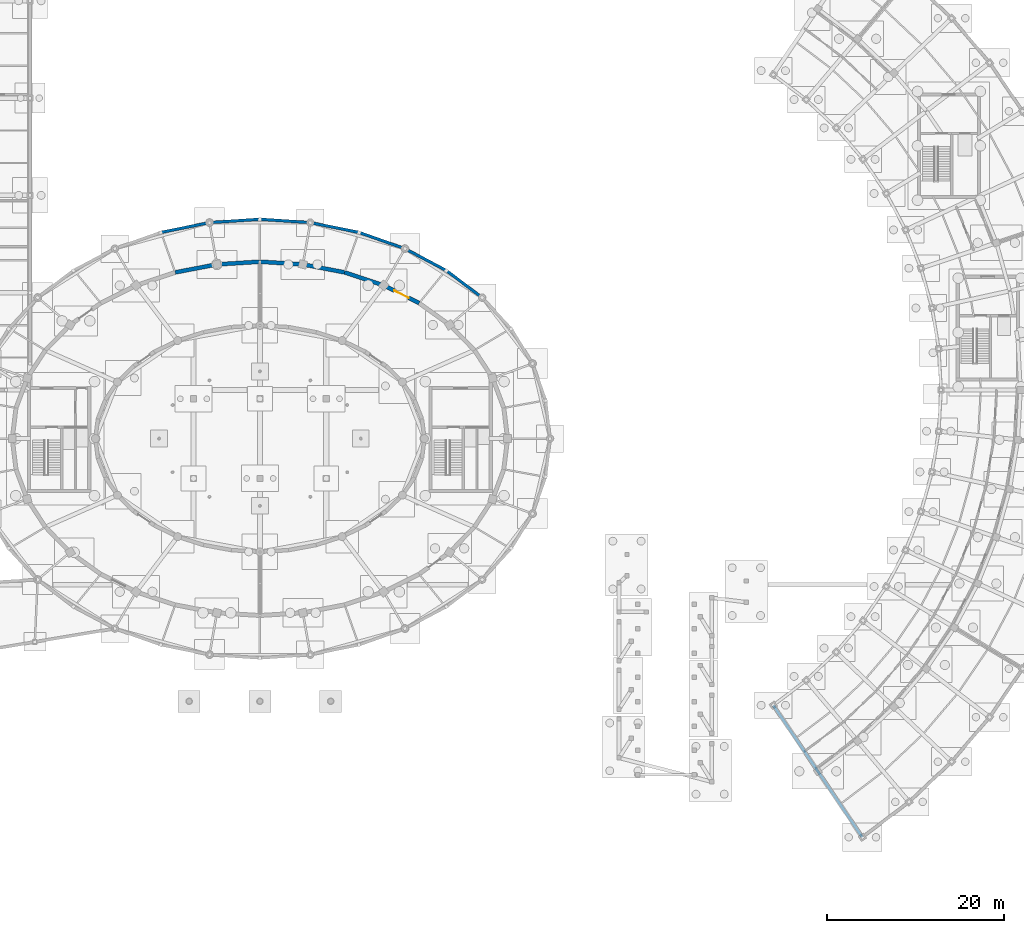
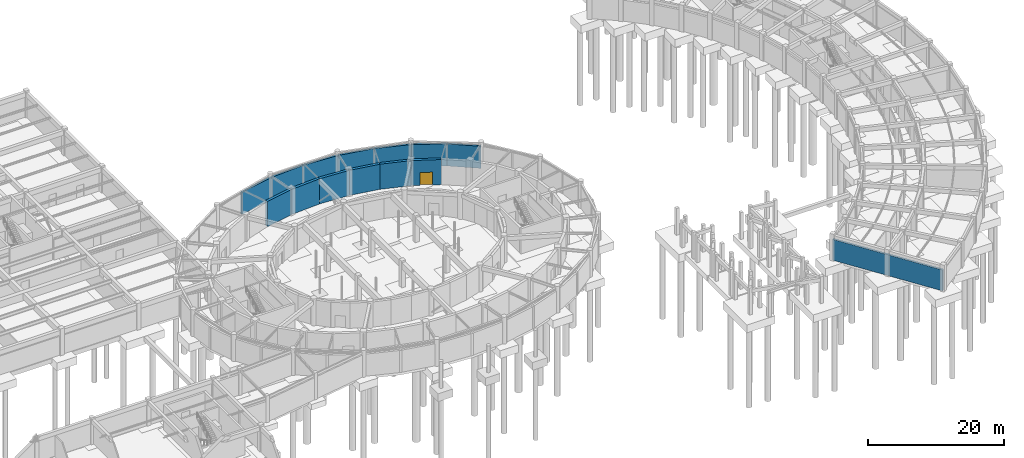
# One storey, part 24 of 42: 14 walls, 1 door, 1 opening.
"""IFC4 building model written with IfcOpenShell, lengths in metres."""

from ifc_helpers import new_model, si_unit, direction, frame, frame_2d, origin, place, context, subcontext, project, spatial, rectangle, extrude, material, layer, layer_set, type_object, element, fill, save


model = new_model("IFC4")

# Units and contexts
model_context = context("Model", 3, precision=1e-05, world=origin(), true_north=direction((0.0, 1.0)))
body_context = subcontext(model_context, "Body", "Model", "MODEL_VIEW")
ifc_project = project(units=[si_unit("LENGTHUNIT", "METRE"), si_unit("AREAUNIT", "SQUARE_METRE"), si_unit("VOLUMEUNIT", "CUBIC_METRE"), si_unit("PLANEANGLEUNIT", "RADIAN"), si_unit("MASSUNIT", "GRAM", prefix="KILO")], contexts=[model_context])

# Site, building, storey
site_placement = place(None, origin())
site = spatial("IfcSite", under=ifc_project, at=site_placement, CompositionType="ELEMENT")
building_placement = place(site_placement, origin())
building = spatial("IfcBuilding", under=site, at=building_placement, Name="Tarnveldt Headland Concert Hall", CompositionType="ELEMENT")
storey_placement = place(building_placement, frame((0.0, 0.0, -4.800048828125)))
storey = spatial("IfcBuildingStorey", under=building, at=storey_placement, Name="B1", CompositionType="ELEMENT", Elevation=-4.800048828125)

# Walls
ifc_material_1 = material(Name="Coral-toned precast concrete C40/50", Category="concrete")
ifc_layer_1 = layer(ifc_material_1, 0.324951171875, Name="Coral-toned precast concrete C40/50", Category="concrete")
ifc_layer_set_1 = layer_set([ifc_layer_1], Name="Coral-toned precast concrete C40/50")
wall_type_1 = type_object("IfcWallType", Name="WL-EX325", PredefinedType="SOLIDWALL", material=ifc_layer_set_1)
wall_1_placement = place(storey_placement, frame((104.599365234375, 73.48583984375, 0.0), z_axis=(0.0, 0.0, 1.0), x_axis=(0.797657622226, -0.60311053523, 0.0)))
element("IfcWall", 1, at=wall_1_placement, inside=storey, type_object=wall_type_1, Name="External precast wall B1-5", PredefinedType="SOLIDWALL", context=body_context, shape_type="SweptSolid", body=[
    extrude(rectangle(XDim=5.028564453125, YDim=0.324951171875, at=frame_2d((2.51416015625, 0.0))), origin(), (0.0, 0.0, 1.0), 3.949951171875),
])
wall_2_placement = place(storey_placement, frame((99.917724609375, 75.968017578125, 0.0), z_axis=(0.0, 0.0, 1.0), x_axis=(0.883786787155, -0.467889853332, 0.0)))
element("IfcWall", 2, at=wall_2_placement, inside=storey, type_object=wall_type_1, Name="External precast wall B1-6", PredefinedType="SOLIDWALL", context=body_context, shape_type="SweptSolid", body=[
    extrude(rectangle(XDim=5.259033203125, YDim=0.324951171875, at=frame_2d((2.62939453125, 0.0))), origin(), (0.0, 0.0, 1.0), 3.949951171875),
])
wall_3_placement = place(storey_placement, frame((94.7373046875, 77.797607421875, 0.0), z_axis=(0.0, 0.0, 1.0), x_axis=(0.943104319689, -0.332496980713, 0.0)))
element("IfcWall", 3, at=wall_3_placement, inside=storey, type_object=wall_type_1, Name="External precast wall B1-7", PredefinedType="SOLIDWALL", context=body_context, shape_type="SweptSolid", body=[
    extrude(rectangle(XDim=5.4541015625, YDim=0.324951171875, at=frame_2d((2.72705078125, 0.0))), origin(), (0.0, 0.0, 1.0), 3.949951171875),
])
wall_4_placement = place(storey_placement, frame((89.21533203125, 78.919189453125, 0.0), z_axis=(0.0, 0.0, 1.0), x_axis=(0.980090933481, -0.198549142802, 0.0)))
element("IfcWall", 4, at=wall_4_placement, inside=storey, type_object=wall_type_1, Name="External precast wall B1-8", PredefinedType="SOLIDWALL", context=body_context, shape_type="SweptSolid", body=[
    extrude(rectangle(XDim=5.5947265625, YDim=0.324951171875, at=frame_2d((2.79736328125, 0.0))), origin(), (0.0, 0.0, 1.0), 3.949951171875),
])
for number, where, z_axis, x_axis, name in (
    (5, (83.52001953125, 79.298583984375, 0.0), (0.0, 0.0, 1.0), (0.997820465323, -0.065987263786, 0.0), "External precast wall B1-9"),
    (6, (77.82421875, 78.924560546875, 0.0), (0.0, 0.0, 1.0), (0.997820465323, 0.065987263786, 0.0), "External precast wall B1-10"),
):
    element("IfcWall", number, at=place(storey_placement, frame(where, z_axis=z_axis, x_axis=x_axis)), inside=storey, type_object=wall_type_1, Name=name, PredefinedType="SOLIDWALL", context=body_context, shape_type="SweptSolid", body=[
        extrude(rectangle(XDim=5.668212890625, YDim=0.324951171875, at=frame_2d((2.833984375, 0.0))), origin(), (0.0, 0.0, 1.0), 3.949951171875),
    ])
wall_5_placement = place(storey_placement, frame((72.30126953125, 77.808349609375, 0.0), z_axis=(0.0, 0.0, 1.0), x_axis=(0.980090933481, 0.198549142802, 0.0)))
element("IfcWall", 7, at=wall_5_placement, inside=storey, type_object=wall_type_1, Name="External precast wall B1-11", PredefinedType="SOLIDWALL", context=body_context, shape_type="SweptSolid", body=[
    extrude(rectangle(XDim=5.5947265625, YDim=0.324951171875, at=frame_2d((2.79736328125, 0.0))), origin(), (0.0, 0.0, 1.0), 3.949951171875),
])
wall_6_placement = place(storey_placement, frame((141.556396484375, 24.334716796875, 0.0), z_axis=(0.0, 0.0, 1.0), x_axis=(0.559199902081, -0.82903285189, 0.0)))
element("IfcWall", 8, at=wall_6_placement, inside=storey, type_object=wall_type_1, Name="External precast wall B1-83", PredefinedType="SOLIDWALL", context=body_context, shape_type="SweptSolid", body=[
    extrude(rectangle(XDim=17.9599609375, YDim=0.324951171875, at=frame_2d((8.97998046875, 0.0))), origin(), (0.0, 0.0, 1.0), 3.738037109375),
])

# Wall, opening, door
ifc_material_2 = material(Name="Concrete C40/50", Category="concrete")
ifc_layer_2 = layer(ifc_material_2, 0.449951171875, Name="Concrete C40/50", Category="concrete")
ifc_layer_set_2 = layer_set([ifc_layer_2], Name="Concrete C40/50")
wall_type_2 = type_object("IfcWallType", Name="WL-RT450", PredefinedType="SHEAR", material=ifc_layer_set_2)
wall_7_placement = place(storey_placement, frame((101.498046875, 69.82080078125, 0.0), z_axis=(0.0, 0.0, 1.0), x_axis=(-0.894361644392, 0.447344664705, 0.0)))
wall_7 = element("IfcWall", 9, at=wall_7_placement, inside=storey, type_object=wall_type_2, Name="Symphony drum shear wall B1-6", PredefinedType="SHEAR", context=body_context, shape_type="SweptSolid", body=[
    extrude(rectangle(XDim=4.47021484375, YDim=0.449951171875, at=frame_2d((2.235107421875, 0.0))), origin(), (0.0, 0.0, 1.0), 4.5),
])
opening_placement = place(wall_7_placement, frame((1.31005859375, 0.0, 0.0)))
opening = element("IfcOpeningElement", 10, at=opening_placement, cuts=wall_7, Name="Opening AD-O001", PredefinedType="OPENING", context=body_context, shape_type="SweptSolid", body=[
    extrude(rectangle(XDim=1.85009765625, YDim=2.300048828125, at=frame_2d((0.925048828125, 1.14990234375))), frame((0.0, 0.23486328125, 0.0), z_axis=(0.0, -1.0, 0.0), x_axis=(1.0, 0.0, 0.0)), (0.0, 0.0, 1.0), 0.469970703125),
])
ifc_material_3 = material(Name="Treated East African mvule hardwood", Category="wood")
door_type = type_object("IfcDoorType", Name="DR-AC185", OperationType="NOTDEFINED", PredefinedType="DOOR", material=ifc_material_3)
door_placement = place(opening_placement, origin())
door = element("IfcDoor", 11, at=door_placement, inside=storey, type_object=door_type, Name="Drum concourse acoustic door B1-6", OperationType="SINGLE_SWING_LEFT", OverallHeight=2.300048828125, OverallWidth=1.85009765625, PredefinedType="DOOR", context=body_context, shape_type="SweptSolid", body=[
    extrude(rectangle(XDim=1.85009765625, YDim=2.300048828125, at=frame_2d((0.925048828125, 1.14990234375))), frame((0.0, 0.02490234375, 0.0), z_axis=(0.0, -1.0, 0.0), x_axis=(1.0, 0.0, 0.0)), (0.0, 0.0, 1.0), 0.050048828125),
])
fill(opening, door)

# Walls
wall_8_placement = place(storey_placement, frame((97.5, 71.820556640625, 0.0), z_axis=(0.0, 0.0, 1.0), x_axis=(-0.948751350732, 0.316023534699, 0.0)))
element("IfcWall", 12, at=wall_8_placement, inside=storey, type_object=wall_type_2, Name="Symphony drum shear wall B1-7", PredefinedType="SHEAR", context=body_context, shape_type="SweptSolid", body=[
    extrude(rectangle(XDim=4.662353515625, YDim=0.449951171875, at=frame_2d((2.3310546875, 0.0))), origin(), (0.0, 0.0, 1.0), 4.5),
])
wall_9_placement = place(storey_placement, frame((93.07666015625, 73.2939453125, 0.0), z_axis=(0.0, 0.0, 1.0), x_axis=(-0.982172578083, 0.187981453503, 0.0)))
element("IfcWall", 13, at=wall_9_placement, inside=storey, type_object=wall_type_2, Name="Symphony drum shear wall B1-8", PredefinedType="SHEAR", context=body_context, shape_type="SweptSolid", body=[
    extrude(rectangle(XDim=4.80029296875, YDim=0.449951171875, at=frame_2d((2.400146484375, 0.0))), origin(), (0.0, 0.0, 1.0), 4.5),
])
for number, where, z_axis, x_axis, name in (
    (14, (88.362060546875, 74.1962890625, 0.0), (0.0, 0.0, 1.0), (-0.998054722924, 0.06234396562, 0.0), "Symphony drum shear wall B1-9"),
    (15, (83.5, 74.5, 0.0), (0.0, 0.0, 1.0), (-0.998054722924, -0.06234396562, 0.0), "Symphony drum shear wall B1-10"),
):
    element("IfcWall", number, at=place(storey_placement, frame(where, z_axis=z_axis, x_axis=x_axis)), inside=storey, type_object=wall_type_2, Name=name, PredefinedType="SHEAR", context=body_context, shape_type="SweptSolid", body=[
        extrude(rectangle(XDim=4.87158203125, YDim=0.449951171875, at=frame_2d((2.435791015625, 0.0))), origin(), (0.0, 0.0, 1.0), 4.5),
    ])
wall_10_placement = place(storey_placement, frame((78.637939453125, 74.1962890625, 0.0), z_axis=(0.0, 0.0, 1.0), x_axis=(-0.982172578083, -0.187981453503, 0.0)))
element("IfcWall", 16, at=wall_10_placement, inside=storey, type_object=wall_type_2, Name="Symphony drum shear wall B1-11", PredefinedType="SHEAR", context=body_context, shape_type="SweptSolid", body=[
    extrude(rectangle(XDim=4.80029296875, YDim=0.449951171875, at=frame_2d((2.400146484375, 0.0))), origin(), (0.0, 0.0, 1.0), 4.5),
])

save(model, "model.ifc")
